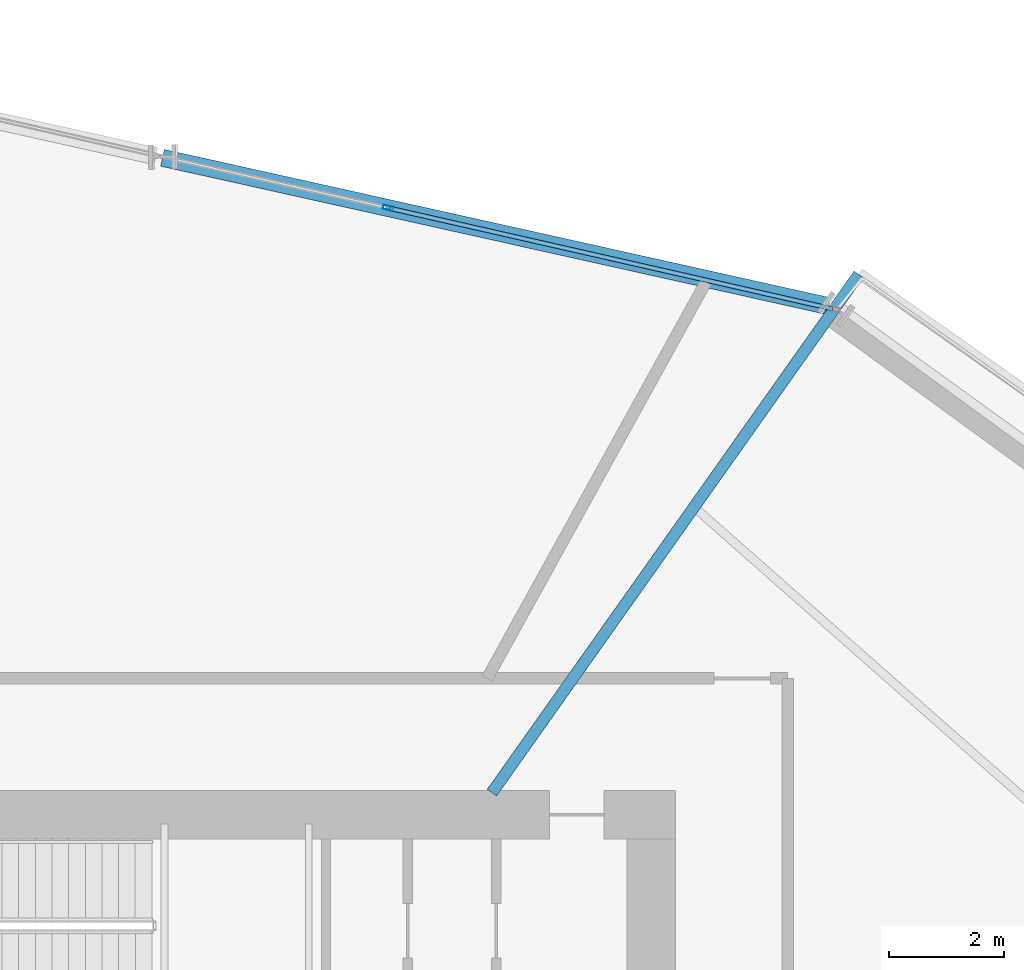
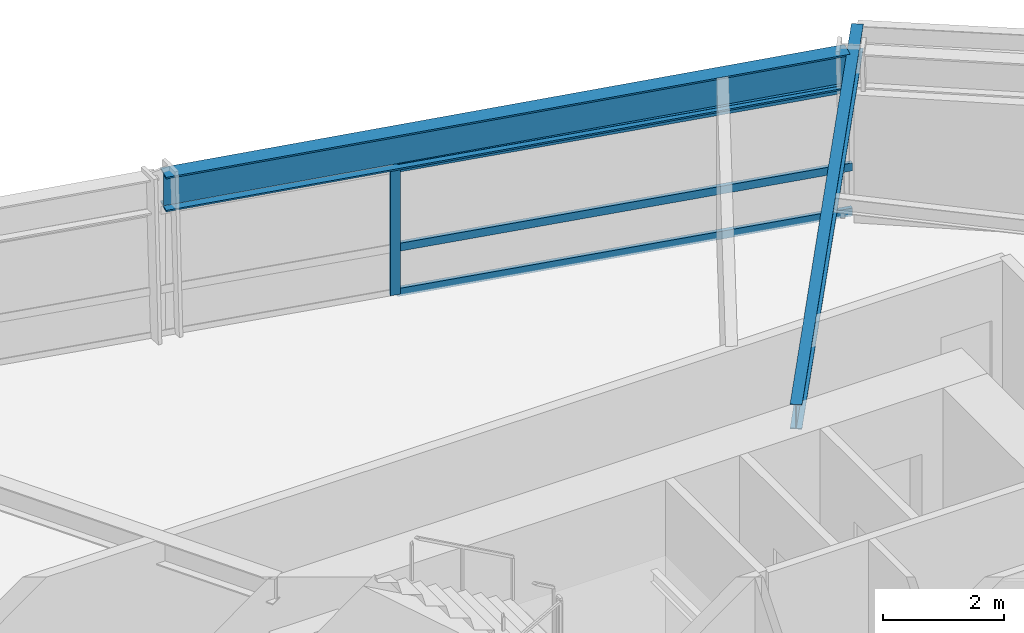
# One storey, part 9 of 23: 4 members, 2 beams, 1 element without a shape of its own.
"""IFC4 building model written with IfcOpenShell, lengths in metres."""

from ifc_helpers import new_model, si_unit, direction, frame, origin, origin_2d, place, context, subcontext, project, spatial, hollow_rectangle, i_section, extrude, source, transform, mapped, material, material_profile, profile_set, type_object, element, aggregate, save


model = new_model("IFC4")

# Units and contexts
model_context = context("Model", 3, precision=1e-05, world=origin(), true_north=direction((0.0, 1.0)))
body_context = subcontext(model_context, "Body", "Model", "MODEL_VIEW")
ifc_project = project(units=[si_unit("LENGTHUNIT", "METRE"), si_unit("AREAUNIT", "SQUARE_METRE"), si_unit("VOLUMEUNIT", "CUBIC_METRE"), si_unit("PLANEANGLEUNIT", "RADIAN"), si_unit("MASSUNIT", "GRAM", prefix="KILO")], contexts=[model_context])

# Site, building, storey
site_placement = place(None, origin())
site = spatial("IfcSite", under=ifc_project, at=site_placement, CompositionType="ELEMENT")
building_placement = place(site_placement, origin())
building = spatial("IfcBuilding", under=site, at=building_placement, Name="Olszyna Solenne Hotel", CompositionType="ELEMENT")
storey_placement = place(building_placement, frame((0.0, 0.0, 32.85009765625)))
storey = spatial("IfcBuildingStorey", under=building, at=storey_placement, Name="L07", CompositionType="ELEMENT", Elevation=32.85009765625)

# Beams
ifc_material_1 = material(Name="Steel S355J2", Category="steel")
ifc_material_profile_1 = material_profile(ifc_material_1, i_section(OverallWidth=0.300048828125, OverallDepth=0.699951171875, WebThickness=0.01708984375, FlangeThickness=0.031982421875, at=origin_2d()), Name="HEB 700", Category="load-bearing")
ifc_profile_set_1 = profile_set([ifc_material_profile_1], Name="Steel S355J2")
beam_type_1 = type_object("IfcBeamType", Name="BM-S1", PredefinedType="BEAM", material=ifc_profile_set_1)
shared_shape_1 = source(origin(), body_context, "Body", "SweptSolid", [
    extrude(i_section(OverallWidth=0.300048828125, OverallDepth=0.699951171875, WebThickness=0.01708984375, FlangeThickness=0.031982421875, at=origin_2d()), origin(), (0.0, 0.0, 1.0), 11.895751953125),
])
beam_1_placement = place(storey_placement, frame((49.4248046875, 42.978271484375, 2.949951171875), z_axis=(-0.976090866799, 0.217362875742, 0.0), x_axis=(-0.217362875742, -0.976090866799, 0.0)))
element("IfcBeam", 1, at=beam_1_placement, inside=storey, type_object=beam_type_1, Name="Perimeter spandrel beam BM-S1 B-L07-0233", PredefinedType="BEAM", context=body_context, shape_type="MappedRepresentation", body=[
    mapped(shared_shape_1, transform((0.0, 0.0, 0.0), x_axis=(1.0, 0.0, 0.0), y_axis=(0.0, 1.0, 0.0), z_axis=(0.0, 0.0, 1.0), scale=1.0)),
])
ifc_material_profile_2 = material_profile(ifc_material_1, i_section(OverallWidth=0.199951171875, OverallDepth=0.5, WebThickness=0.01025390625, FlangeThickness=0.01611328125, at=origin_2d()), Name="IPE 500", Category="load-bearing")
ifc_profile_set_2 = profile_set([ifc_material_profile_2], Name="Steel S355J2")
beam_type_2 = type_object("IfcBeamType", Name="BM-F3", PredefinedType="BEAM", material=ifc_profile_set_2)
shared_shape_2 = source(origin(), body_context, "Body", "SweptSolid", [
    extrude(i_section(OverallWidth=0.199951171875, OverallDepth=0.5, WebThickness=0.01025390625, FlangeThickness=0.01611328125, at=origin_2d()), origin(), (0.0, 0.0, 1.0), 11.0556640625),
])
beam_2_placement = place(storey_placement, frame((49.9365234375, 43.533203125, 3.0498046875), z_axis=(-0.577691946774, -0.816254871124, 0.0), x_axis=(0.816254871124, -0.577691946774, 0.0)))
element("IfcBeam", 2, at=beam_2_placement, inside=storey, type_object=beam_type_2, Name="Radial floor girder BM-F3 B-L07-0245", PredefinedType="BEAM", context=body_context, shape_type="MappedRepresentation", body=[
    mapped(shared_shape_2, transform((0.0, 0.0, 0.0), x_axis=(1.0, 0.0, 0.0), y_axis=(0.0, 1.0, 0.0), z_axis=(0.0, 0.0, 1.0), scale=1.0)),
])

# Curtain wall, members
ifc_material_2 = material(Name="Anodised bronze aluminium", Category="aluminium")
curtain_wall_type = type_object("IfcCurtainWallType", Name="CW-SYS-2", PredefinedType="NOTDEFINED", material=ifc_material_2)
curtain_wall_placement = place(storey_placement, origin())
curtain_wall = element("IfcCurtainWall", 3, at=curtain_wall_placement, inside=storey, type_object=curtain_wall_type, Name="Unitised curtain wall CW-SYS-2 CW-L07-02", PredefinedType="NOTDEFINED")
ifc_material_profile_3 = material_profile(ifc_material_2, hollow_rectangle(XDim=0.074951171875, YDim=0.179931640625, WallThickness=0.00439453125, at=origin_2d()), Name="MULL 180x75x4.5", Category="load-bearing")
ifc_profile_set_3 = profile_set([ifc_material_profile_3], Name="Anodised bronze aluminium")
member_type_1 = type_object("IfcMemberType", Name="CW-M2", PredefinedType="MULLION", material=ifc_profile_set_3)
shared_shape_3 = source(origin(), body_context, "Body", "SweptSolid", [
    extrude(hollow_rectangle(XDim=0.074951171875, YDim=0.179931640625, WallThickness=0.00439453125, at=origin_2d()), origin(), (0.0, 0.0, 1.0), 2.591796875),
])
member_1_placement = place(storey_placement, frame((41.7431640625, 44.690185546875, 0.0), z_axis=(0.0, 0.0, 1.0), x_axis=(0.221622002849, 0.975132651414, 0.0)))
member_1 = element("IfcMember", 4, at=member_1_placement, type_object=member_type_1, Name="Curtain-wall mullion CW-M2 CM-L07-02-03", PredefinedType="MULLION", context=body_context, shape_type="MappedRepresentation", body=[
    mapped(shared_shape_3, transform((0.0, 0.0, 0.0), x_axis=(1.0, 0.0, 0.0), y_axis=(0.0, 1.0, 0.0), z_axis=(0.0, 0.0, 1.0), scale=1.0)),
])
ifc_material_profile_4 = material_profile(ifc_material_2, hollow_rectangle(XDim=0.074951171875, YDim=0.159912109375, WallThickness=0.00390625, at=origin_2d()), Name="TRAN 160x75x4", Category="load-bearing")
ifc_profile_set_4 = profile_set([ifc_material_profile_4], Name="Anodised bronze aluminium")
member_type_2 = type_object("IfcMemberType", Name="CW-T1", PredefinedType="USERDEFINED", material=ifc_profile_set_4)
shared_shape_4 = source(origin(), body_context, "Body", "SweptSolid", [
    extrude(hollow_rectangle(XDim=0.074951171875, YDim=0.159912109375, WallThickness=0.00390625, at=origin_2d()), origin(), (0.0, 0.0, 1.0), 7.89794921875),
])
member_2_placement = place(storey_placement, frame((41.77978515625, 44.681884765625, 0.037353515625), z_axis=(0.97513649946, -0.221605070837, 0.0), x_axis=(0.221605070837, 0.97513649946, 0.0)))
member_2 = element("IfcMember", 5, at=member_2_placement, type_object=member_type_2, Name="Curtain-wall transom CW-T1 CT-L07-02-07", ObjectType="TRANSOM", PredefinedType="USERDEFINED", context=body_context, shape_type="MappedRepresentation", body=[
    mapped(shared_shape_4, transform((0.0, 0.0, 0.0), x_axis=(1.0, 0.0, 0.0), y_axis=(0.0, 1.0, 0.0), z_axis=(0.0, 0.0, 1.0), scale=1.0)),
])
member_3_placement = place(storey_placement, frame((41.77978515625, 44.681884765625, 0.949951171875), z_axis=(0.97513649946, -0.221605070837, 0.0), x_axis=(0.221605070837, 0.97513649946, 0.0)))
member_3 = element("IfcMember", 6, at=member_3_placement, type_object=member_type_2, Name="Curtain-wall transom CW-T1 CT-L07-02-08", ObjectType="TRANSOM", PredefinedType="USERDEFINED", context=body_context, shape_type="MappedRepresentation", body=[
    mapped(shared_shape_4, transform((0.0, 0.0, 0.0), x_axis=(1.0, 0.0, 0.0), y_axis=(0.0, 1.0, 0.0), z_axis=(0.0, 0.0, 1.0), scale=1.0)),
])
member_4_placement = place(storey_placement, frame((41.77978515625, 44.681884765625, 2.554443359375), z_axis=(0.97513649946, -0.221605070837, 0.0), x_axis=(0.221605070837, 0.97513649946, 0.0)))
member_4 = element("IfcMember", 7, at=member_4_placement, type_object=member_type_2, Name="Curtain-wall transom CW-T1 CT-L07-02-09", ObjectType="TRANSOM", PredefinedType="USERDEFINED", context=body_context, shape_type="MappedRepresentation", body=[
    mapped(shared_shape_4, transform((0.0, 0.0, 0.0), x_axis=(1.0, 0.0, 0.0), y_axis=(0.0, 1.0, 0.0), z_axis=(0.0, 0.0, 1.0), scale=1.0)),
])
aggregate(curtain_wall, [member_1, member_2, member_3, member_4])

save(model, "model.ifc")
